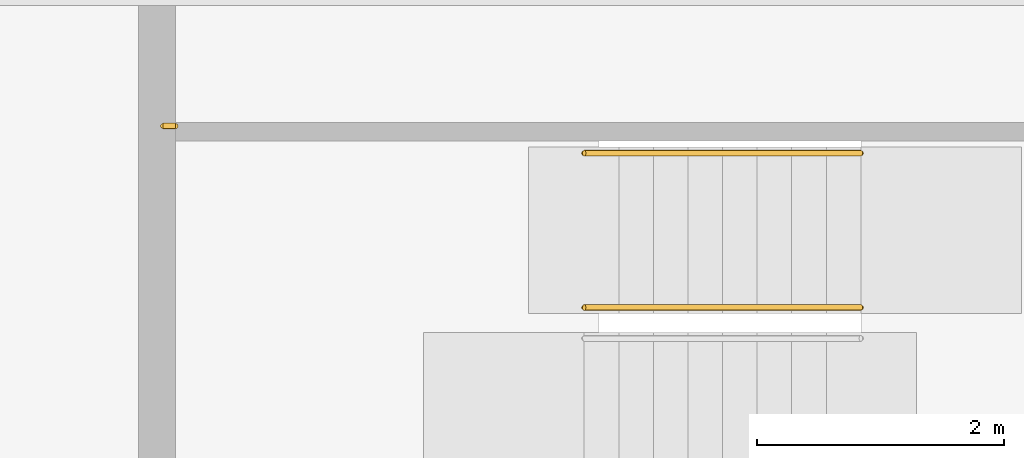
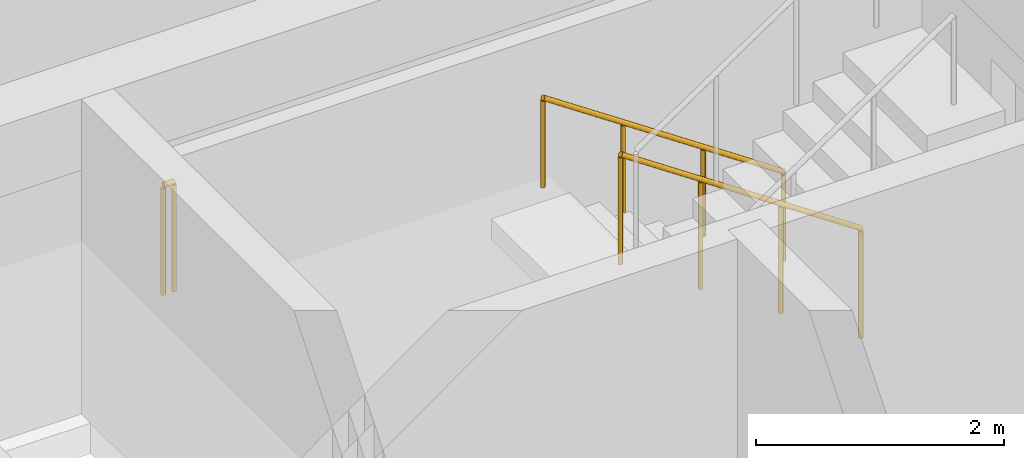
# One storey, part 11 of 12: 3 railings.
"""IFC4 building model written with IfcOpenShell, lengths in metres."""

from ifc_helpers import new_model, si_unit, direction, frame, origin, origin_2d, place, context, subcontext, project, spatial, circle, extrude, material, type_object, element, save


model = new_model("IFC4")

# Units and contexts
model_context = context("Model", 3, precision=1e-05, world=origin(), true_north=direction((0.0, 1.0)))
body_context = subcontext(model_context, "Body", "Model", "MODEL_VIEW")
ifc_project = project(units=[si_unit("LENGTHUNIT", "METRE"), si_unit("AREAUNIT", "SQUARE_METRE"), si_unit("VOLUMEUNIT", "CUBIC_METRE"), si_unit("PLANEANGLEUNIT", "RADIAN"), si_unit("MASSUNIT", "GRAM", prefix="KILO")], contexts=[model_context])

# Site, building, storey
site_placement = place(None, origin())
site = spatial("IfcSite", under=ifc_project, at=site_placement, CompositionType="ELEMENT")
building_placement = place(site_placement, origin())
building = spatial("IfcBuilding", under=site, at=building_placement, Name="Windrow Commons", CompositionType="ELEMENT")
storey_placement = place(building_placement, frame((0.0, 0.0, 206.6)))
storey = spatial("IfcBuildingStorey", under=building, at=storey_placement, Name="L56", CompositionType="ELEMENT", Elevation=206.6)

# Railings
ifc_material_1 = material(Name="Steel S355", Category="steel")
railing_type_1 = type_object("IfcRailingType", Name="Core stair guard 1100", PredefinedType="GUARDRAIL", material=ifc_material_1)
railing_1_placement = place(storey_placement, frame((70.5, 62.355, 0.1889)))
element("IfcRailing", 1, at=railing_1_placement, inside=storey, type_object=railing_type_1, Name="L56 ST-A2 stair guard 1", PredefinedType="GUARDRAIL", context=body_context, shape_type="SweptSolid", body=[
    extrude(circle(Radius=0.024, at=origin_2d()), frame((0.0, 0.0, 1.076), z_axis=(-0.8290030985, 0.0, 0.5592440099), x_axis=(0.0, -1.0, 0.0)), (0.0, 0.0, 1.0), 2.702),
    extrude(circle(Radius=0.021, at=origin_2d()), origin(), (0.0, 0.0, 1.0), 1.052),
    extrude(circle(Radius=0.021, at=origin_2d()), frame((-0.7467, 0.0, 0.5037)), (0.0, 0.0, 1.0), 1.052),
    extrude(circle(Radius=0.021, at=origin_2d()), frame((-1.4933, 0.0, 1.0074)), (0.0, 0.0, 1.0), 1.052),
    extrude(circle(Radius=0.021, at=origin_2d()), frame((-2.24, 0.0, 1.5111)), (0.0, 0.0, 1.0), 1.052),
])
railing_2_placement = place(storey_placement, frame((64.95, 63.825, 1.7)))
element("IfcRailing", 2, at=railing_2_placement, inside=storey, type_object=railing_type_1, Name="L56 ST-A2 stair guard 3", PredefinedType="GUARDRAIL", context=body_context, shape_type="SweptSolid", body=[
    extrude(circle(Radius=0.024, at=origin_2d()), frame((0.0, 0.0, 1.076), z_axis=(-1.0, 0.0, 0.0), x_axis=(0.0, -1.0, 0.0)), (0.0, 0.0, 1.0), 0.1),
    extrude(circle(Radius=0.021, at=origin_2d()), origin(), (0.0, 0.0, 1.0), 1.052),
    extrude(circle(Radius=0.021, at=origin_2d()), frame((-0.1, 0.0, 0.0)), (0.0, 0.0, 1.0), 1.052),
])
ifc_material_2 = material(Name="Steel S355", Category="steel")
railing_type_2 = type_object("IfcRailingType", Name="Core stair handrail 900", PredefinedType="HANDRAIL", material=ifc_material_2)
railing_3_placement = place(storey_placement, frame((70.5, 63.605, 0.1889)))
element("IfcRailing", 3, at=railing_3_placement, inside=storey, type_object=railing_type_2, Name="L56 ST-A2 stair handrail 1", PredefinedType="HANDRAIL", context=body_context, shape_type="SweptSolid", body=[
    extrude(circle(Radius=0.024, at=origin_2d()), frame((0.0, 0.0, 0.876), z_axis=(-0.8290030985, 0.0, 0.5592440099), x_axis=(0.0, -1.0, 0.0)), (0.0, 0.0, 1.0), 2.702),
    extrude(circle(Radius=0.021, at=origin_2d()), origin(), (0.0, 0.0, 1.0), 0.852),
    extrude(circle(Radius=0.021, at=origin_2d()), frame((-0.7467, 0.0, 0.5037)), (0.0, 0.0, 1.0), 0.852),
    extrude(circle(Radius=0.021, at=origin_2d()), frame((-1.4933, 0.0, 1.0074)), (0.0, 0.0, 1.0), 0.852),
    extrude(circle(Radius=0.021, at=origin_2d()), frame((-2.24, 0.0, 1.5111)), (0.0, 0.0, 1.0), 0.852),
])

save(model, "model.ifc")
